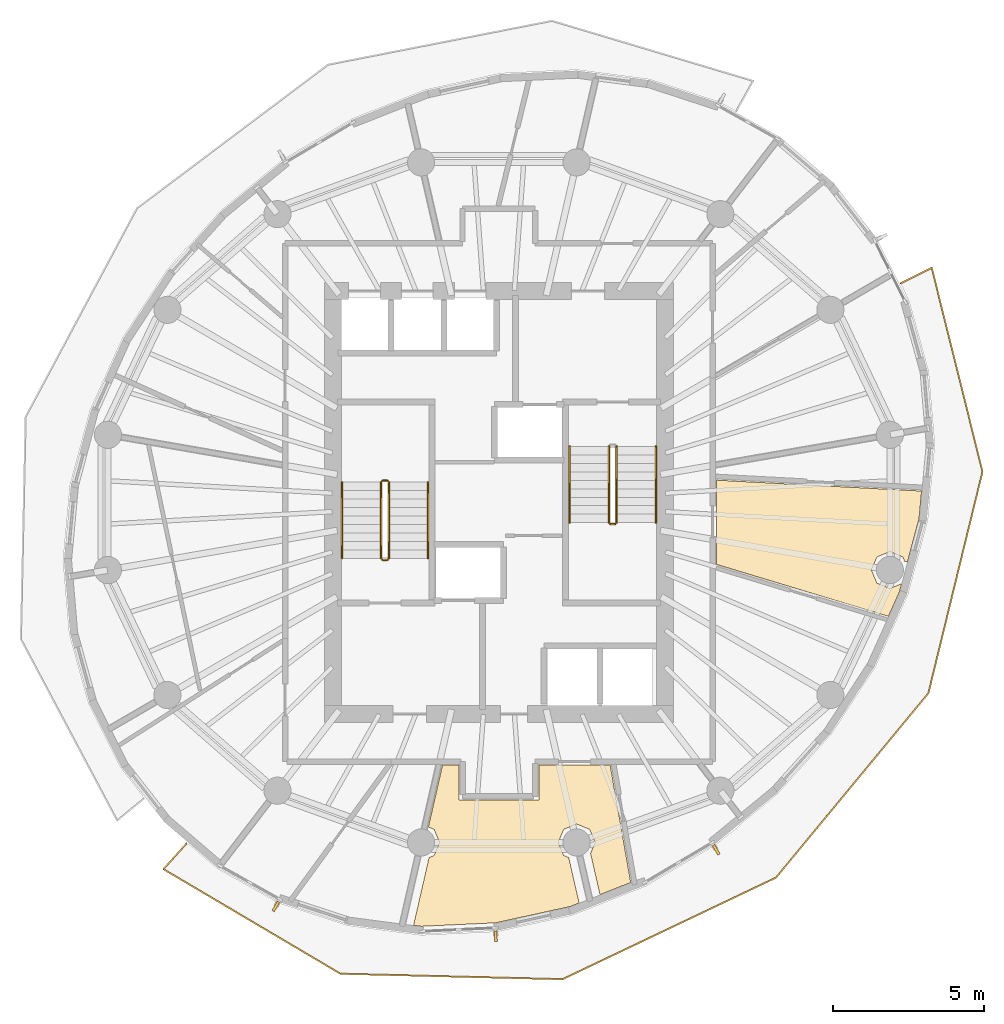
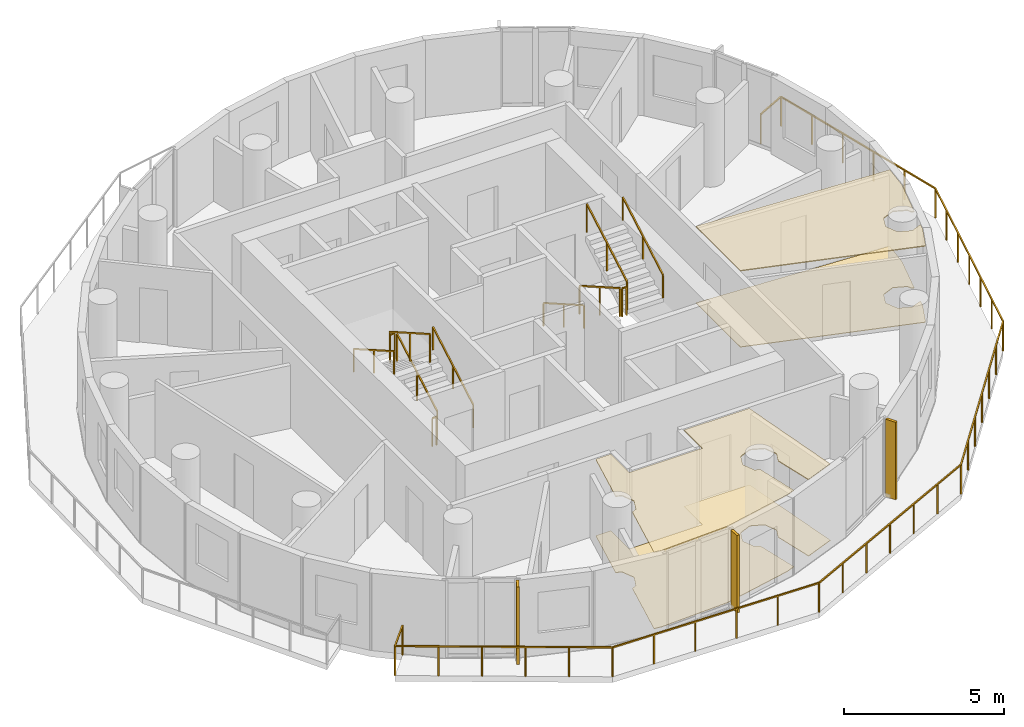
# One storey, part 8 of 10: 12 railings, 4 coverings, 3 shading devices.
"""IFC4 building model written with IfcOpenShell, lengths in metres."""

import ifcopenshell
import ifcopenshell.guid

model = None  # the IFC model being written
_history = None  # IfcOwnerHistory: only IFC2X3 demands one
_inside = {}  # id of a spatial element -> (the spatial element, [elements in it])
_under = {}  # id of a project, library or spatial element -> (it, [spatial elements below it])
_declared = {}  # id of a project -> (the project, [libraries it declares])
_typed = {}  # id of a type object -> (the type object, [elements of that type])
_made_of = {}  # id of a material, layer set ... -> (it, [elements and type objects made of it])


def new_model(schema):
    """Start an empty IFC model of exactly this schema.

    Asked for "IFC4X3", IfcOpenShell would pick the latest addendum, in which some entities
    have other attributes; the version numbers below select the first issue.
    IFC2X3 requires an IfcOwnerHistory on every rooted entity: one is made here for all.
    """
    global model, _history
    if schema == "IFC4X3":
        model = ifcopenshell.file(schema_version=(4, 3, 0, 0))
    else:
        model = ifcopenshell.file(schema=schema)
    _inside.clear()
    _under.clear()
    _declared.clear()
    _typed.clear()
    _made_of.clear()
    _history = None
    if model.schema == "IFC2X3":
        org = make("IfcOrganization", Name="unknown")
        user = make(
            "IfcPersonAndOrganization",
            ThePerson=make("IfcPerson", FamilyName="unknown"),
            TheOrganization=org,
        )
        app = make(
            "IfcApplication",
            ApplicationDeveloper=org,
            Version="unknown",
            ApplicationFullName="unknown",
            ApplicationIdentifier="unknown",
        )
        _history = make(
            "IfcOwnerHistory",
            OwningUser=user,
            OwningApplication=app,
            ChangeAction="ADDED",
            CreationDate=0,
        )
    return model


def make(cls, **values):
    """One entity of the class cls with the attributes given. An attribute that is None is left unset."""
    return model.create_entity(
        cls, **{name: value for name, value in values.items() if value is not None}
    )


def rooted(cls, **values):
    """An entity with a GlobalId (a new one), such as an element, a storey or a relation."""
    return make(cls, GlobalId=ifcopenshell.guid.new(), OwnerHistory=_history, **values)


def si_unit(unit_type, name, prefix=None):
    """IfcSIUnit, for example si_unit("LENGTHUNIT", "METRE", prefix="MILLI")."""
    return make("IfcSIUnit", UnitType=unit_type, Prefix=prefix, Name=name)


def assignment(units):
    """IfcUnitAssignment: the units of a project."""
    return None if units is None else make("IfcUnitAssignment", Units=units)


def point(xyz):
    """IfcCartesianPoint."""
    return None if xyz is None else make("IfcCartesianPoint", Coordinates=xyz)


def direction(xyz):
    """IfcDirection."""
    return None if xyz is None else make("IfcDirection", DirectionRatios=xyz)


def frame(location, z_axis=None, x_axis=None):
    """IfcAxis2Placement3D, a coordinate frame: its origin and axes. An axis left out is left unset."""
    return make(
        "IfcAxis2Placement3D",
        Location=point(location),
        Axis=direction(z_axis),
        RefDirection=direction(x_axis),
    )


def frame_2d(location, x_axis=None):
    """IfcAxis2Placement2D, a coordinate frame in the plane: its origin and x axis."""
    return make(
        "IfcAxis2Placement2D", Location=point(location), RefDirection=direction(x_axis)
    )


def origin():
    """The frame at (0, 0, 0) with its axes left unset."""
    return frame((0.0, 0.0, 0.0))


def origin_2d():
    """The frame at (0, 0) in the plane with its x axis left unset."""
    return frame_2d((0.0, 0.0))


def place(relative_to, where):
    """IfcLocalPlacement: puts the frame where relative to a parent placement (None: the world)."""
    return make(
        "IfcLocalPlacement", PlacementRelTo=relative_to, RelativePlacement=where
    )


def context(
    kind, dimensions, precision=None, world=None, true_north=None, identifier=None
):
    """IfcGeometricRepresentationContext, for example the 3D "Model" context."""
    return make(
        "IfcGeometricRepresentationContext",
        ContextIdentifier=identifier,
        ContextType=kind,
        CoordinateSpaceDimension=dimensions,
        Precision=precision,
        WorldCoordinateSystem=world,
        TrueNorth=true_north,
    )


def subcontext(parent, identifier, kind, view, scale=None):
    """IfcGeometricRepresentationSubContext, for example "Body" below "Model"."""
    return make(
        "IfcGeometricRepresentationSubContext",
        ContextIdentifier=identifier,
        ContextType=kind,
        ParentContext=parent,
        TargetScale=scale,
        TargetView=view,
    )


def project(units=None, contexts=None):
    """IfcProject with its units and contexts."""
    return rooted(
        "IfcProject",
        Name="project",
        RepresentationContexts=contexts,
        UnitsInContext=assignment(units),
    )


def spatial(cls, under=None, at=None, **own):
    """A site, building, storey or space (cls), placed at a placement, below another one or the project."""
    s = rooted(cls, ObjectPlacement=at, **own)
    if under is not None:
        _under.setdefault(under.id(), (under, []))[1].append(s)
    return s


def polyline(points):
    """IfcPolyline through the points."""
    return make("IfcPolyline", Points=[point(p) for p in points])


def profile(cls, at=None, kind="AREA", **sizes):
    """A parametric profile (cls). Its sizes go by their IFC names, for example OverallWidth=200.0."""
    return make(cls, ProfileType=kind, Position=at, **sizes)


def rectangle(**sizes):
    """IfcRectangleProfileDef."""
    return profile("IfcRectangleProfileDef", **sizes)


def outline(outer, holes=None, kind="AREA"):
    """IfcArbitraryClosedProfileDef: a profile drawn as a closed curve; with holes, ...WithVoids."""
    if holes is None:
        return make("IfcArbitraryClosedProfileDef", ProfileType=kind, OuterCurve=outer)
    return make(
        "IfcArbitraryProfileDefWithVoids",
        ProfileType=kind,
        OuterCurve=outer,
        InnerCurves=holes,
    )


def extrude(swept, where, along, depth):
    """IfcExtrudedAreaSolid: the profile swept, set in the frame where, extruded along a direction by depth."""
    return make(
        "IfcExtrudedAreaSolid",
        SweptArea=swept,
        Position=where,
        ExtrudedDirection=direction(along),
        Depth=depth,
    )


def shape(context_of_items, identifier, shape_type, items):
    """IfcShapeRepresentation: the items that make up one representation, for example the "Body"."""
    return make(
        "IfcShapeRepresentation",
        ContextOfItems=context_of_items,
        RepresentationIdentifier=identifier,
        RepresentationType=shape_type,
        Items=items,
    )


def material(Name=None, Category=None):
    """IfcMaterial."""
    return make("IfcMaterial", Name=Name, Category=Category)


def layer(
    of_material, thickness, ventilated=None, Name=None, Category=None, Priority=None
):
    """IfcMaterialLayer: one layer of a wall or slab, of a material (None: an air gap)."""
    return make(
        "IfcMaterialLayer",
        Material=of_material,
        LayerThickness=thickness,
        IsVentilated=ventilated,
        Name=Name,
        Category=Category,
        Priority=Priority,
    )


def layer_set(layers, Name=None):
    """IfcMaterialLayerSet."""
    return make("IfcMaterialLayerSet", MaterialLayers=layers, LayerSetName=Name)


def made_of(thing, what):
    """Note that an element or type object is made of a material, layer set ...; save() writes the relation."""
    if what is not None:
        _made_of.setdefault(what.id(), (what, []))[1].append(thing)
    return thing


def type_object(cls, material=None, **own):
    """A type object (cls), such as IfcWallType, which elements share."""
    return made_of(rooted(cls, **own), material)


def element(
    cls,
    number,
    at=None,
    inside=None,
    cuts=None,
    type_object=None,
    material=None,
    context=None,
    identifier="Body",
    shape_type=None,
    held_by="IfcProductDefinitionShape",
    body=None,
    shapes=None,
    **own,
):
    """One element of the class cls, such as IfcWall. Its Tag is "e" and its number.

    at: its placement. inside: the storey or other place that contains it. cuts: it is an
    opening in that element (IfcRelVoidsElement). A single representation is given by context,
    identifier, shape_type and body (its items); several are given by shapes. held_by: the class
    of the entity that holds the representations. save() writes the other relations.
    """
    e = rooted(cls, Tag="e%d" % number, ObjectPlacement=at, **own)
    if body is not None:
        shapes = [shape(context, identifier, shape_type, body)]
    if shapes is not None:
        e.Representation = make(held_by, Representations=shapes)
    if inside is not None:
        _inside.setdefault(inside.id(), (inside, []))[1].append(e)
    if cuts is not None:
        rooted(
            "IfcRelVoidsElement", RelatingBuildingElement=cuts, RelatedOpeningElement=e
        )
    if type_object is not None:
        _typed.setdefault(type_object.id(), (type_object, []))[1].append(e)
    return made_of(e, material)


def aggregate(whole, parts):
    """IfcRelAggregates: a whole, such as a stair, and the parts it consists of."""
    return rooted("IfcRelAggregates", RelatingObject=whole, RelatedObjects=parts)


def save(model, path):
    """Write the relations noted so far, then the file.

    IfcRelAggregates (storeys below a building ...), IfcRelContainedInSpatialStructure (elements
    in a storey), IfcRelDefinesByType, IfcRelAssociatesMaterial and IfcRelDeclares: one each for
    every whole, place, type object, material and project.
    """
    for whole, parts in _under.values():
        aggregate(whole, parts)
    for where, things in _inside.values():
        rooted(
            "IfcRelContainedInSpatialStructure",
            RelatedElements=things,
            RelatingStructure=where,
        )
    for kind, things in _typed.values():
        rooted("IfcRelDefinesByType", RelatedObjects=things, RelatingType=kind)
    for what, things in _made_of.values():
        rooted("IfcRelAssociatesMaterial", RelatedObjects=things, RelatingMaterial=what)
    for by, libraries in _declared.values():
        rooted("IfcRelDeclares", RelatingContext=by, RelatedDefinitions=libraries)
    model.write(path)


model = new_model("IFC4")

# Units and contexts
model_context = context("Model", 3, precision=1e-05, world=origin(), true_north=direction((0.0, 1.0)))
body_context = subcontext(model_context, "Body", "Model", "MODEL_VIEW")
ifc_project = project(units=[si_unit("LENGTHUNIT", "METRE"), si_unit("AREAUNIT", "SQUARE_METRE"), si_unit("VOLUMEUNIT", "CUBIC_METRE"), si_unit("PLANEANGLEUNIT", "RADIAN"), si_unit("MASSUNIT", "GRAM", prefix="KILO")], contexts=[model_context])

# Site, building, storey
site_placement = place(None, origin())
site = spatial("IfcSite", under=ifc_project, at=site_placement, CompositionType="ELEMENT")
building_placement = place(site_placement, origin())
building = spatial("IfcBuilding", under=site, at=building_placement, Name="Veldorim Arch Residences", CompositionType="ELEMENT")
storey_placement = place(building_placement, frame((0.0, 0.0, 175.840087890625)))
storey = spatial("IfcBuildingStorey", under=building, at=storey_placement, Name="L52", CompositionType="ELEMENT", Elevation=175.840087890625)

# Railings
ifc_material_1 = material(Name="Aluminium", Category="aluminium")
railing_type_1 = type_object("IfcRailingType", Name="Balcony & Terrace Laminated Glass Balustrade 1150", PredefinedType="BALUSTRADE", material=ifc_material_1)
railing_1_placement = place(storey_placement, frame((21.658935546875, 12.711669921875, 0.0)))
element("IfcRailing", 1, at=railing_1_placement, inside=storey, type_object=railing_type_1, Name="L52 crescent balcony safety balustrade B", PredefinedType="BALUSTRADE", context=body_context, shape_type="SweptSolid", body=[
    extrude(rectangle(XDim=0.048095703125, YDim=0.048095703125, at=origin_2d()), frame((0.0, 0.0, 1.1259765625), z_axis=(-0.66808459796, -0.744085324388, 0.0), x_axis=(0.744085324388, -0.66808459796, 0.0)), (0.0, 0.0, 1.0), 1.14990234375),
    extrude(rectangle(XDim=0.048095703125, YDim=0.048095703125, at=origin_2d()), frame((-0.768310546875, -0.855712890625, 1.1259765625), z_axis=(0.860900116689, -0.508774005906, 0.0), x_axis=(0.508774005906, 0.860900116689, 0.0)), (0.0, 0.0, 1.0), 6.809326171875),
    extrude(rectangle(XDim=0.048095703125, YDim=0.048095703125, at=origin_2d()), frame((5.09375, -4.320068359375, 1.1259765625), z_axis=(0.999695984702, -0.024656402212, 0.0), x_axis=(0.024656402212, 0.999695984702, 0.0)), (0.0, 0.0, 1.0), 7.35693359375),
    extrude(rectangle(XDim=0.048095703125, YDim=0.048095703125, at=origin_2d()), frame((12.448486328125, -4.50146484375, 1.1259765625), z_axis=(0.902919863623, 0.42980893415, 0.0), x_axis=(-0.42980893415, 0.902919863623, 0.0)), (0.0, 0.0, 1.0), 7.831298828125),
    extrude(rectangle(XDim=0.048095703125, YDim=0.048095703125, at=origin_2d()), frame((19.51953125, -1.135498046875, 1.1259765625), z_axis=(0.637052723353, 0.770820230449, 0.0), x_axis=(-0.770820230449, 0.637052723353, 0.0)), (0.0, 0.0, 1.0), 7.919189453125),
    extrude(rectangle(XDim=0.048095703125, YDim=0.048095703125, at=origin_2d()), frame((24.564453125, 4.96875, 1.1259765625), z_axis=(0.237118344411, 0.971480772195, 0.0), x_axis=(-0.971480772195, 0.237118344411, 0.0)), (0.0, 0.0, 1.0), 7.555419921875),
    extrude(rectangle(XDim=0.048095703125, YDim=0.048095703125, at=origin_2d()), frame((26.35595703125, 12.30859375, 1.1259765625), z_axis=(-0.241635413505, 0.970367109367, 0.0), x_axis=(-0.970367109367, -0.241635413505, 0.0)), (0.0, 0.0, 1.0), 6.956298828125),
    extrude(rectangle(XDim=0.048095703125, YDim=0.048095703125, at=origin_2d()), frame((24.675048828125, 19.058837890625, 1.1259765625), z_axis=(-0.895105555881, -0.445854285424, 0.0), x_axis=(0.445854285424, -0.895105555881, 0.0)), (0.0, 0.0, 1.0), 1.14990234375),
    extrude(rectangle(XDim=0.0419921875, YDim=0.0419921875, at=origin_2d()), origin(), (0.0, 0.0, 1.0), 1.101806640625),
    extrude(rectangle(XDim=0.0419921875, YDim=0.0419921875, at=origin_2d()), frame((-0.768310546875, -0.855712890625, 0.0)), (0.0, 0.0, 1.0), 1.101806640625),
    extrude(rectangle(XDim=0.0419921875, YDim=0.0419921875, at=origin_2d()), frame((0.404052734375, -1.548583984375, 0.0)), (0.0, 0.0, 1.0), 1.101806640625),
    extrude(rectangle(XDim=0.0419921875, YDim=0.0419921875, at=origin_2d()), frame((1.576416015625, -2.241455078125, 0.0)), (0.0, 0.0, 1.0), 1.101806640625),
    extrude(rectangle(XDim=0.0419921875, YDim=0.0419921875, at=origin_2d()), frame((2.7490234375, -2.934326171875, 0.0)), (0.0, 0.0, 1.0), 1.101806640625),
    extrude(rectangle(XDim=0.0419921875, YDim=0.0419921875, at=origin_2d()), frame((3.92138671875, -3.627197265625, 0.0)), (0.0, 0.0, 1.0), 1.101806640625),
    extrude(rectangle(XDim=0.0419921875, YDim=0.0419921875, at=origin_2d()), frame((5.09375, -4.320068359375, 0.0)), (0.0, 0.0, 1.0), 1.101806640625),
    extrude(rectangle(XDim=0.0419921875, YDim=0.0419921875, at=origin_2d()), frame((6.564697265625, -4.3564453125, 0.0)), (0.0, 0.0, 1.0), 1.101806640625),
    extrude(rectangle(XDim=0.0419921875, YDim=0.0419921875, at=origin_2d()), frame((8.03564453125, -4.392578125, 0.0)), (0.0, 0.0, 1.0), 1.101806640625),
    extrude(rectangle(XDim=0.0419921875, YDim=0.0419921875, at=origin_2d()), frame((9.506591796875, -4.428955078125, 0.0)), (0.0, 0.0, 1.0), 1.101806640625),
    extrude(rectangle(XDim=0.0419921875, YDim=0.0419921875, at=origin_2d()), frame((10.9775390625, -4.465087890625, 0.0)), (0.0, 0.0, 1.0), 1.101806640625),
    extrude(rectangle(XDim=0.0419921875, YDim=0.0419921875, at=origin_2d()), frame((12.448486328125, -4.50146484375, 0.0)), (0.0, 0.0, 1.0), 1.101806640625),
    extrude(rectangle(XDim=0.0419921875, YDim=0.0419921875, at=origin_2d()), frame((13.626953125, -3.9404296875, 0.0)), (0.0, 0.0, 1.0), 1.101806640625),
    extrude(rectangle(XDim=0.0419921875, YDim=0.0419921875, at=origin_2d()), frame((14.805419921875, -3.37939453125, 0.0)), (0.0, 0.0, 1.0), 1.101806640625),
    extrude(rectangle(XDim=0.0419921875, YDim=0.0419921875, at=origin_2d()), frame((15.98388671875, -2.818359375, 0.0)), (0.0, 0.0, 1.0), 1.101806640625),
    extrude(rectangle(XDim=0.0419921875, YDim=0.0419921875, at=origin_2d()), frame((17.16259765625, -2.257568359375, 0.0)), (0.0, 0.0, 1.0), 1.101806640625),
    extrude(rectangle(XDim=0.0419921875, YDim=0.0419921875, at=origin_2d()), frame((18.341064453125, -1.696533203125, 0.0)), (0.0, 0.0, 1.0), 1.101806640625),
    extrude(rectangle(XDim=0.0419921875, YDim=0.0419921875, at=origin_2d()), frame((19.51953125, -1.135498046875, 0.0)), (0.0, 0.0, 1.0), 1.101806640625),
    extrude(rectangle(XDim=0.0419921875, YDim=0.0419921875, at=origin_2d()), frame((20.3603515625, -0.1181640625, 0.0)), (0.0, 0.0, 1.0), 1.101806640625),
    extrude(rectangle(XDim=0.0419921875, YDim=0.0419921875, at=origin_2d()), frame((21.201171875, 0.899169921875, 0.0)), (0.0, 0.0, 1.0), 1.101806640625),
    extrude(rectangle(XDim=0.0419921875, YDim=0.0419921875, at=origin_2d()), frame((22.0419921875, 1.91650390625, 0.0)), (0.0, 0.0, 1.0), 1.101806640625),
    extrude(rectangle(XDim=0.0419921875, YDim=0.0419921875, at=origin_2d()), frame((22.8828125, 2.93408203125, 0.0)), (0.0, 0.0, 1.0), 1.101806640625),
    extrude(rectangle(XDim=0.0419921875, YDim=0.0419921875, at=origin_2d()), frame((23.7236328125, 3.951416015625, 0.0)), (0.0, 0.0, 1.0), 1.101806640625),
    extrude(rectangle(XDim=0.0419921875, YDim=0.0419921875, at=origin_2d()), frame((24.564453125, 4.96875, 0.0)), (0.0, 0.0, 1.0), 1.101806640625),
    extrude(rectangle(XDim=0.0419921875, YDim=0.0419921875, at=origin_2d()), frame((24.863037109375, 6.192138671875, 0.0)), (0.0, 0.0, 1.0), 1.101806640625),
    extrude(rectangle(XDim=0.0419921875, YDim=0.0419921875, at=origin_2d()), frame((25.16162109375, 7.415283203125, 0.0)), (0.0, 0.0, 1.0), 1.101806640625),
    extrude(rectangle(XDim=0.0419921875, YDim=0.0419921875, at=origin_2d()), frame((25.460205078125, 8.638671875, 0.0)), (0.0, 0.0, 1.0), 1.101806640625),
    extrude(rectangle(XDim=0.0419921875, YDim=0.0419921875, at=origin_2d()), frame((25.7587890625, 9.862060546875, 0.0)), (0.0, 0.0, 1.0), 1.101806640625),
    extrude(rectangle(XDim=0.0419921875, YDim=0.0419921875, at=origin_2d()), frame((26.057373046875, 11.085205078125, 0.0)), (0.0, 0.0, 1.0), 1.101806640625),
    extrude(rectangle(XDim=0.0419921875, YDim=0.0419921875, at=origin_2d()), frame((26.35595703125, 12.30859375, 0.0)), (0.0, 0.0, 1.0), 1.101806640625),
    extrude(rectangle(XDim=0.0419921875, YDim=0.0419921875, at=origin_2d()), frame((26.019775390625, 13.65869140625, 0.0)), (0.0, 0.0, 1.0), 1.101806640625),
    extrude(rectangle(XDim=0.0419921875, YDim=0.0419921875, at=origin_2d()), frame((25.68359375, 15.0087890625, 0.0)), (0.0, 0.0, 1.0), 1.101806640625),
    extrude(rectangle(XDim=0.0419921875, YDim=0.0419921875, at=origin_2d()), frame((25.347412109375, 16.358642578125, 0.0)), (0.0, 0.0, 1.0), 1.101806640625),
    extrude(rectangle(XDim=0.0419921875, YDim=0.0419921875, at=origin_2d()), frame((25.01123046875, 17.708740234375, 0.0)), (0.0, 0.0, 1.0), 1.101806640625),
    extrude(rectangle(XDim=0.0419921875, YDim=0.0419921875, at=origin_2d()), frame((24.675048828125, 19.058837890625, 0.0)), (0.0, 0.0, 1.0), 1.101806640625),
    extrude(rectangle(XDim=0.0419921875, YDim=0.0419921875, at=origin_2d()), frame((23.645751953125, 18.546142578125, 0.0)), (0.0, 0.0, 1.0), 1.101806640625),
])
ifc_material_2 = material(Name="Steel S355", Category="steel")
railing_type_2 = type_object("IfcRailingType", Name="Galvanised Steel Stair Safety Guardrail 1100", PredefinedType="GUARDRAIL", material=ifc_material_2)
railing_2_placement = place(storey_placement, frame((28.360107421875, 22.14990234375, 0.159912109375)))
element("IfcRailing", 2, at=railing_2_placement, inside=storey, type_object=railing_type_2, Name="L52 ST-1 stair guard 1", PredefinedType="GUARDRAIL", context=body_context, shape_type="SweptSolid", body=[
    extrude(rectangle(XDim=0.048095703125, YDim=0.048095703125, at=origin_2d()), frame((0.0, 0.0, 1.076171875), z_axis=(0.0, 0.868253494771, 0.496120820787), x_axis=(-1.0, 0.0, 0.0)), (0.0, 0.0, 1.0), 2.90234375),
    extrude(rectangle(XDim=0.0419921875, YDim=0.0419921875, at=origin_2d()), origin(), (0.0, 0.0, 1.0), 1.052001953125),
    extrude(rectangle(XDim=0.0419921875, YDim=0.0419921875, at=origin_2d()), frame((0.0, 1.260009765625, 0.719970703125)), (0.0, 0.0, 1.0), 1.052001953125),
    extrude(rectangle(XDim=0.0419921875, YDim=0.0419921875, at=origin_2d()), frame((0.0, 2.52001953125, 1.43994140625)), (0.0, 0.0, 1.0), 1.052001953125),
])
railing_3_placement = place(storey_placement, frame((28.31005859375, 24.719970703125, 1.599853515625)))
element("IfcRailing", 3, at=railing_3_placement, inside=storey, type_object=railing_type_2, Name="L52 ST-1 stair guard 2", PredefinedType="GUARDRAIL", context=body_context, shape_type="SweptSolid", body=[
    extrude(rectangle(XDim=0.048095703125, YDim=0.048095703125, at=origin_2d()), frame((0.0, 0.0, 1.076171875), z_axis=(-1.0, 0.0, 0.0), x_axis=(0.0, -1.0, 0.0)), (0.0, 0.0, 1.0), 0.16015625),
    extrude(rectangle(XDim=0.0419921875, YDim=0.0419921875, at=origin_2d()), origin(), (0.0, 0.0, 1.0), 1.052001953125),
    extrude(rectangle(XDim=0.0419921875, YDim=0.0419921875, at=origin_2d()), frame((-0.16015625, 0.0, 0.0)), (0.0, 0.0, 1.0), 1.052001953125),
])
railing_4_placement = place(storey_placement, frame((28.10009765625, 24.669921875, 1.760009765625)))
element("IfcRailing", 4, at=railing_4_placement, inside=storey, type_object=railing_type_2, Name="L52 ST-1 stair guard 3", PredefinedType="GUARDRAIL", context=body_context, shape_type="SweptSolid", body=[
    extrude(rectangle(XDim=0.048095703125, YDim=0.048095703125, at=origin_2d()), frame((0.0, 0.0, 1.076171875), z_axis=(0.0, -0.868253494771, 0.496120820787), x_axis=(1.0, 0.0, 0.0)), (0.0, 0.0, 1.0), 2.90234375),
    extrude(rectangle(XDim=0.0419921875, YDim=0.0419921875, at=origin_2d()), origin(), (0.0, 0.0, 1.0), 1.052001953125),
    extrude(rectangle(XDim=0.0419921875, YDim=0.0419921875, at=origin_2d()), frame((0.0, -1.260009765625, 0.719970703125)), (0.0, 0.0, 1.0), 1.052001953125),
    extrude(rectangle(XDim=0.0419921875, YDim=0.0419921875, at=origin_2d()), frame((0.0, -2.52001953125, 1.43994140625)), (0.0, 0.0, 1.0), 1.052001953125),
])
railing_5_placement = place(storey_placement, frame((28.31005859375, 22.10009765625, 0.0)))
element("IfcRailing", 5, at=railing_5_placement, inside=storey, type_object=railing_type_2, Name="L52 ST-1 stair guard 4", PredefinedType="GUARDRAIL", context=body_context, shape_type="SweptSolid", body=[
    extrude(rectangle(XDim=0.048095703125, YDim=0.048095703125, at=origin_2d()), frame((0.0, 0.0, 1.076171875), z_axis=(-1.0, 0.0, 0.0), x_axis=(0.0, -1.0, 0.0)), (0.0, 0.0, 1.0), 0.16015625),
    extrude(rectangle(XDim=0.0419921875, YDim=0.0419921875, at=origin_2d()), origin(), (0.0, 0.0, 1.0), 1.052001953125),
    extrude(rectangle(XDim=0.0419921875, YDim=0.0419921875, at=origin_2d()), frame((-0.16015625, 0.0, 0.0)), (0.0, 0.0, 1.0), 1.052001953125),
])
railing_6_placement = place(storey_placement, frame((35.639892578125, 25.85009765625, 0.159912109375)))
element("IfcRailing", 6, at=railing_6_placement, inside=storey, type_object=railing_type_2, Name="L52 ST-2 stair guard 1", PredefinedType="GUARDRAIL", context=body_context, shape_type="SweptSolid", body=[
    extrude(rectangle(XDim=0.048095703125, YDim=0.048095703125, at=origin_2d()), frame((0.0, 0.0, 1.076171875), z_axis=(0.0, -0.868253494771, 0.496120820787), x_axis=(1.0, 0.0, 0.0)), (0.0, 0.0, 1.0), 2.90234375),
    extrude(rectangle(XDim=0.0419921875, YDim=0.0419921875, at=origin_2d()), origin(), (0.0, 0.0, 1.0), 1.052001953125),
    extrude(rectangle(XDim=0.0419921875, YDim=0.0419921875, at=origin_2d()), frame((0.0, -1.260009765625, 0.719970703125)), (0.0, 0.0, 1.0), 1.052001953125),
    extrude(rectangle(XDim=0.0419921875, YDim=0.0419921875, at=origin_2d()), frame((0.0, -2.52001953125, 1.43994140625)), (0.0, 0.0, 1.0), 1.052001953125),
])
railing_7_placement = place(storey_placement, frame((35.68994140625, 23.280029296875, 1.599853515625)))
element("IfcRailing", 7, at=railing_7_placement, inside=storey, type_object=railing_type_2, Name="L52 ST-2 stair guard 2", PredefinedType="GUARDRAIL", context=body_context, shape_type="SweptSolid", body=[
    extrude(rectangle(XDim=0.048095703125, YDim=0.048095703125, at=origin_2d()), frame((0.0, 0.0, 1.076171875), z_axis=(1.0, 0.0, 0.0), x_axis=(0.0, 1.0, 0.0)), (0.0, 0.0, 1.0), 0.16015625),
    extrude(rectangle(XDim=0.0419921875, YDim=0.0419921875, at=origin_2d()), origin(), (0.0, 0.0, 1.0), 1.052001953125),
    extrude(rectangle(XDim=0.0419921875, YDim=0.0419921875, at=origin_2d()), frame((0.16015625, 0.0, 0.0)), (0.0, 0.0, 1.0), 1.052001953125),
])
railing_8_placement = place(storey_placement, frame((35.89990234375, 23.330078125, 1.760009765625)))
element("IfcRailing", 8, at=railing_8_placement, inside=storey, type_object=railing_type_2, Name="L52 ST-2 stair guard 3", PredefinedType="GUARDRAIL", context=body_context, shape_type="SweptSolid", body=[
    extrude(rectangle(XDim=0.048095703125, YDim=0.048095703125, at=origin_2d()), frame((0.0, 0.0, 1.076171875), z_axis=(0.0, 0.868253494771, 0.496120820787), x_axis=(-1.0, 0.0, 0.0)), (0.0, 0.0, 1.0), 2.90234375),
    extrude(rectangle(XDim=0.0419921875, YDim=0.0419921875, at=origin_2d()), origin(), (0.0, 0.0, 1.0), 1.052001953125),
    extrude(rectangle(XDim=0.0419921875, YDim=0.0419921875, at=origin_2d()), frame((0.0, 1.260009765625, 0.719970703125)), (0.0, 0.0, 1.0), 1.052001953125),
    extrude(rectangle(XDim=0.0419921875, YDim=0.0419921875, at=origin_2d()), frame((0.0, 2.52001953125, 1.43994140625)), (0.0, 0.0, 1.0), 1.052001953125),
])

# Coverings
ifc_material_3 = material(Name="Acoustic Gypsum & Mineral Fibre", Category="gypsum")
ifc_layer_1 = layer(ifc_material_3, 0.034912109375, Name="Perforated Acoustic Mineral-Fibre Ceiling 35")
ifc_layer_set_1 = layer_set([ifc_layer_1], Name="Acoustic Gypsum & Mineral Fibre")
covering_type_1 = type_object("IfcCoveringType", Name="Perforated Acoustic Mineral-Fibre Ceiling 35", PredefinedType="CEILING", material=ifc_layer_set_1)
covering_1_placement = place(storey_placement, frame((0.0, 0.0, 2.905029296875)))
element("IfcCovering", 9, at=covering_1_placement, inside=storey, type_object=covering_type_1, Name="L52 acoustic suspended ceiling 01", PredefinedType="CEILING", context=body_context, shape_type="SweptSolid", body=[
    extrude(outline(polyline([(35.18505859375, 12.740478515625), (35.006591796875, 13.171875), (34.5751953125, 13.3505859375), (34.143798828125, 13.171875), (33.96533203125, 12.740478515625), (34.143798828125, 12.309326171875), (34.312744140625, 12.239501953125), (34.65625, 10.73779296875), (34.350830078125, 10.61669921875), (31.89111328125, 10.078369140625), (29.4365234375, 9.963623046875), (29.174560546875, 9.998046875), (29.687255859375, 12.239501953125), (29.856201171875, 12.309326171875), (30.03466796875, 12.740478515625), (29.856201171875, 13.171875), (29.664794921875, 13.251220703125), (30.13330078125, 15.300048828125), (30.679931640625, 15.300048828125), (30.679931640625, 14.14990234375), (33.320068359375, 14.14990234375), (33.320068359375, 15.300048828125), (35.684326171875, 15.300048828125), (36.365234375, 11.414794921875), (35.34765625, 11.01171875), (35.034912109375, 12.37841796875), (35.18505859375, 12.740478515625)])), origin(), (0.0, 0.0, 1.0), 0.034912109375),
])
covering_2_placement = place(storey_placement, frame((0.0, 0.0, 2.905029296875)))
element("IfcCovering", 10, at=covering_2_placement, inside=storey, type_object=covering_type_1, Name="L52 acoustic suspended ceiling 02", PredefinedType="CEILING", context=body_context, shape_type="SweptSolid", body=[
    extrude(outline(polyline([(45.2607421875, 21.035400390625), (44.897216796875, 20.228271484375), (39.199951171875, 21.94970703125), (39.199951171875, 24.737060546875), (45.99658203125, 24.376708984375), (45.912109375, 23.467529296875), (45.52783203125, 22.03271484375), (45.43701171875, 22.048583984375), (45.377685546875, 22.191650390625), (44.9462890625, 22.370361328125), (44.51513671875, 22.191650390625), (44.33642578125, 21.760498046875), (44.51513671875, 21.3291015625), (44.9462890625, 21.150390625), (45.334716796875, 21.311279296875), (45.2607421875, 21.035400390625)])), origin(), (0.0, 0.0, 1.0), 0.034912109375),
])
ifc_material_4 = material(Name="Porcelain Ceramic Tile", Category="ceramic")
ifc_layer_2 = layer(ifc_material_4, 0.02001953125, Name="Slip-Resistant Porcelain & Vinyl Floor Finish 20")
ifc_layer_set_2 = layer_set([ifc_layer_2], Name="Porcelain Ceramic Tile")
covering_type_2 = type_object("IfcCoveringType", Name="Slip-Resistant Porcelain & Vinyl Floor Finish 20", PredefinedType="FLOORING", material=ifc_layer_set_2)
covering_3_placement = place(storey_placement, origin())
element("IfcCovering", 11, at=covering_3_placement, inside=storey, type_object=covering_type_2, Name="L52 porcelain floor finish 01", PredefinedType="FLOORING", context=body_context, shape_type="SweptSolid", body=[
    extrude(outline(polyline([(35.18505859375, 12.740478515625), (35.006591796875, 13.171875), (34.5751953125, 13.3505859375), (34.143798828125, 13.171875), (33.96533203125, 12.740478515625), (34.143798828125, 12.309326171875), (34.312744140625, 12.239501953125), (34.65625, 10.73779296875), (34.350830078125, 10.61669921875), (31.89111328125, 10.078369140625), (29.4365234375, 9.963623046875), (29.174560546875, 9.998046875), (29.687255859375, 12.239501953125), (29.856201171875, 12.309326171875), (30.03466796875, 12.740478515625), (29.856201171875, 13.171875), (29.664794921875, 13.251220703125), (30.13330078125, 15.300048828125), (30.679931640625, 15.300048828125), (30.679931640625, 14.14990234375), (33.320068359375, 14.14990234375), (33.320068359375, 15.300048828125), (35.684326171875, 15.300048828125), (36.365234375, 11.414794921875), (35.34765625, 11.01171875), (35.034912109375, 12.37841796875), (35.18505859375, 12.740478515625)])), origin(), (0.0, 0.0, 1.0), 0.02001953125),
])
covering_4_placement = place(storey_placement, origin())
element("IfcCovering", 12, at=covering_4_placement, inside=storey, type_object=covering_type_2, Name="L52 porcelain floor finish 02", PredefinedType="FLOORING", context=body_context, shape_type="SweptSolid", body=[
    extrude(outline(polyline([(45.2607421875, 21.035400390625), (44.897216796875, 20.228271484375), (39.199951171875, 21.94970703125), (39.199951171875, 24.737060546875), (45.99658203125, 24.376708984375), (45.912109375, 23.467529296875), (45.52783203125, 22.03271484375), (45.43701171875, 22.048583984375), (45.377685546875, 22.191650390625), (44.9462890625, 22.370361328125), (44.51513671875, 22.191650390625), (44.33642578125, 21.760498046875), (44.51513671875, 21.3291015625), (44.9462890625, 21.150390625), (45.334716796875, 21.311279296875), (45.2607421875, 21.035400390625)])), origin(), (0.0, 0.0, 1.0), 0.02001953125),
])

# Railings
ifc_material_5 = material(Name="Stainless Steel", Category="steel")
railing_type_3 = type_object("IfcRailingType", Name="Tubular Steel Continuous Wall Handrail 900", PredefinedType="HANDRAIL", material=ifc_material_5)
railing_9_placement = place(storey_placement, frame((29.659912109375, 22.14990234375, 0.159912109375)))
element("IfcRailing", 13, at=railing_9_placement, inside=storey, type_object=railing_type_3, Name="L52 ST-1 stair handrail 1", PredefinedType="HANDRAIL", context=body_context, shape_type="SweptSolid", body=[
    extrude(rectangle(XDim=0.048095703125, YDim=0.048095703125, at=origin_2d()), frame((0.0, 0.0, 0.8759765625), z_axis=(0.0, 0.868253494771, 0.496120820787), x_axis=(-1.0, 0.0, 0.0)), (0.0, 0.0, 1.0), 2.90234375),
    extrude(rectangle(XDim=0.0419921875, YDim=0.0419921875, at=origin_2d()), origin(), (0.0, 0.0, 1.0), 0.851806640625),
    extrude(rectangle(XDim=0.0419921875, YDim=0.0419921875, at=origin_2d()), frame((0.0, 1.260009765625, 0.719970703125)), (0.0, 0.0, 1.0), 0.851806640625),
    extrude(rectangle(XDim=0.0419921875, YDim=0.0419921875, at=origin_2d()), frame((0.0, 2.52001953125, 1.43994140625)), (0.0, 0.0, 1.0), 0.851806640625),
])
for number, where, name in (
    (14, (26.800048828125, 24.669921875, 1.760009765625), "L52 ST-1 stair handrail 2"),
    (15, (34.340087890625, 25.85009765625, 0.159912109375), "L52 ST-2 stair handrail 1"),
):
    element("IfcRailing", number, at=place(storey_placement, frame(where)), inside=storey, type_object=railing_type_3, Name=name, PredefinedType="HANDRAIL", context=body_context, shape_type="SweptSolid", body=[
        extrude(rectangle(XDim=0.048095703125, YDim=0.048095703125, at=origin_2d()), frame((0.0, 0.0, 0.8759765625), z_axis=(0.0, -0.868253494771, 0.496120820787), x_axis=(1.0, 0.0, 0.0)), (0.0, 0.0, 1.0), 2.90234375),
        extrude(rectangle(XDim=0.0419921875, YDim=0.0419921875, at=origin_2d()), origin(), (0.0, 0.0, 1.0), 0.851806640625),
        extrude(rectangle(XDim=0.0419921875, YDim=0.0419921875, at=origin_2d()), frame((0.0, -1.260009765625, 0.719970703125)), (0.0, 0.0, 1.0), 0.851806640625),
        extrude(rectangle(XDim=0.0419921875, YDim=0.0419921875, at=origin_2d()), frame((0.0, -2.52001953125, 1.43994140625)), (0.0, 0.0, 1.0), 0.851806640625),
    ])
railing_10_placement = place(storey_placement, frame((37.199951171875, 23.330078125, 1.760009765625)))
element("IfcRailing", 16, at=railing_10_placement, inside=storey, type_object=railing_type_3, Name="L52 ST-2 stair handrail 2", PredefinedType="HANDRAIL", context=body_context, shape_type="SweptSolid", body=[
    extrude(rectangle(XDim=0.048095703125, YDim=0.048095703125, at=origin_2d()), frame((0.0, 0.0, 0.8759765625), z_axis=(0.0, 0.868253494771, 0.496120820787), x_axis=(-1.0, 0.0, 0.0)), (0.0, 0.0, 1.0), 2.90234375),
    extrude(rectangle(XDim=0.0419921875, YDim=0.0419921875, at=origin_2d()), origin(), (0.0, 0.0, 1.0), 0.851806640625),
    extrude(rectangle(XDim=0.0419921875, YDim=0.0419921875, at=origin_2d()), frame((0.0, 1.260009765625, 0.719970703125)), (0.0, 0.0, 1.0), 0.851806640625),
    extrude(rectangle(XDim=0.0419921875, YDim=0.0419921875, at=origin_2d()), frame((0.0, 2.52001953125, 1.43994140625)), (0.0, 0.0, 1.0), 0.851806640625),
])

# Shading devices
ifc_material_6 = material(Name="Terracotta Ceramic", Category="masonry")
ifc_layer_3 = layer(ifc_material_6, 0.090087890625, Name="Vertical Extruded Terracotta Baguette Sun-Shading Fin")
ifc_layer_set_3 = layer_set([ifc_layer_3], Name="Terracotta Ceramic")
shading_device_type = type_object("IfcShadingDeviceType", Name="Vertical Extruded Terracotta Baguette Sun-Shading Fin", PredefinedType="USERDEFINED", material=ifc_layer_set_3)
for number, where, z_axis, x_axis, name in (
    (17, (24.61328125, 10.621826171875, 0.0), (0.0, 0.0, 1.0), (-0.873007211547, 0.487707298065, 0.0), "L52 vertical terracotta sun-shading fin 20"),
    (18, (31.896240234375, 9.635498046875, 0.0), (0.0, 0.0, 1.0), (-0.998906257359, -0.046757769503, 0.0), "L52 vertical terracotta sun-shading fin 23"),
    (19, (39.196044921875, 12.499755859375, 0.0), (0.0, 0.0, 1.0), (-0.861097195167, -0.508440380454, 0.0), "L52 vertical terracotta sun-shading fin 26"),
):
    element("IfcShadingDevice", number, at=place(storey_placement, frame(where, z_axis=z_axis, x_axis=x_axis)), inside=storey, type_object=shading_device_type, Name=name, ObjectType="FIN", PredefinedType="USERDEFINED", context=body_context, shape_type="SweptSolid", body=[
        extrude(rectangle(XDim=0.090087890625, YDim=0.360107421875, at=origin_2d()), origin(), (0.0, 0.0, 1.0), 2.9599609375),
    ])

save(model, "model.ifc")
